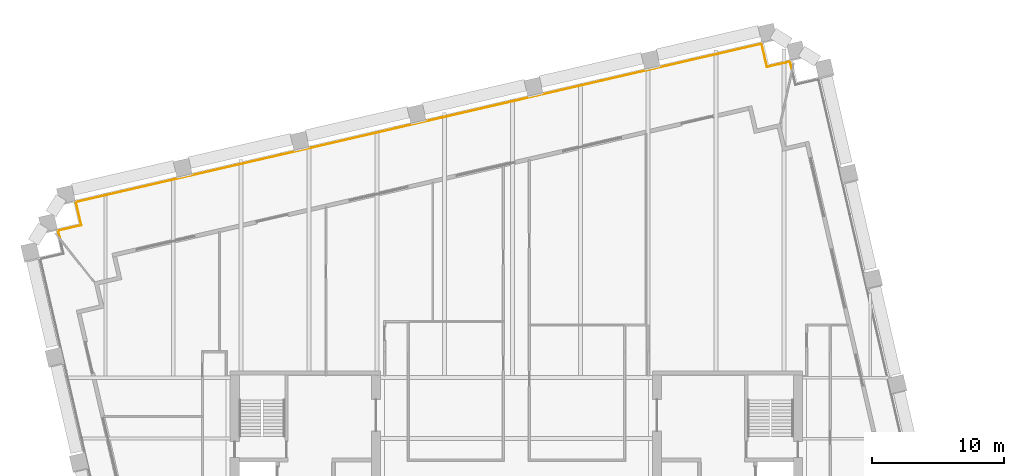
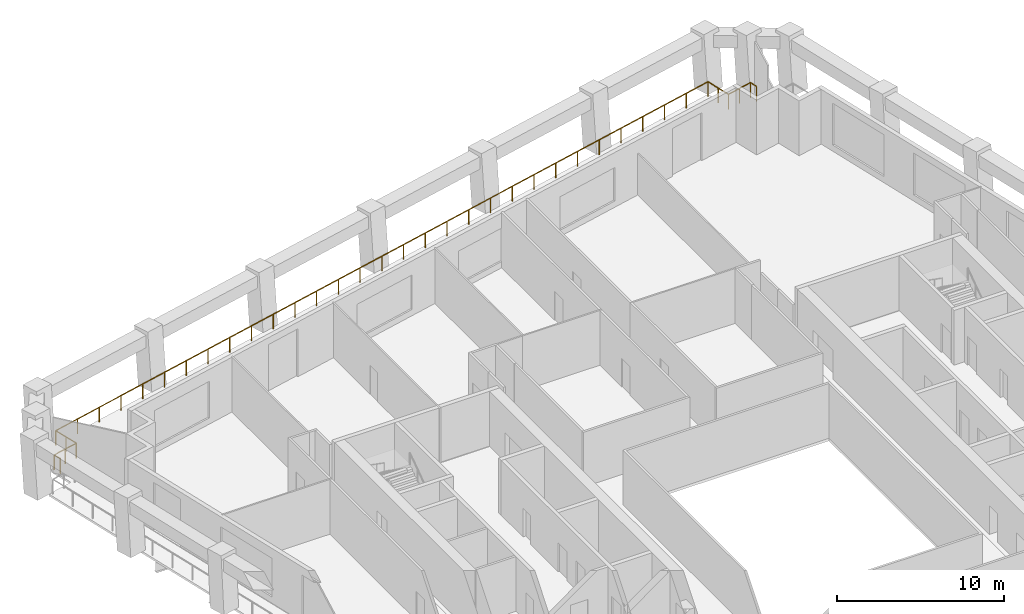
# One storey, part 10 of 10: 1 railing.
"""IFC4 building model written with IfcOpenShell, lengths in metres."""

import ifcopenshell
import ifcopenshell.guid

model = None  # the IFC model being written
_history = None  # IfcOwnerHistory: only IFC2X3 demands one
_inside = {}  # id of a spatial element -> (the spatial element, [elements in it])
_under = {}  # id of a project, library or spatial element -> (it, [spatial elements below it])
_declared = {}  # id of a project -> (the project, [libraries it declares])
_typed = {}  # id of a type object -> (the type object, [elements of that type])
_made_of = {}  # id of a material, layer set ... -> (it, [elements and type objects made of it])


def new_model(schema):
    """Start an empty IFC model of exactly this schema.

    Asked for "IFC4X3", IfcOpenShell would pick the latest addendum, in which some entities
    have other attributes; the version numbers below select the first issue.
    IFC2X3 requires an IfcOwnerHistory on every rooted entity: one is made here for all.
    """
    global model, _history
    if schema == "IFC4X3":
        model = ifcopenshell.file(schema_version=(4, 3, 0, 0))
    else:
        model = ifcopenshell.file(schema=schema)
    _inside.clear()
    _under.clear()
    _declared.clear()
    _typed.clear()
    _made_of.clear()
    _history = None
    if model.schema == "IFC2X3":
        org = make("IfcOrganization", Name="unknown")
        user = make(
            "IfcPersonAndOrganization",
            ThePerson=make("IfcPerson", FamilyName="unknown"),
            TheOrganization=org,
        )
        app = make(
            "IfcApplication",
            ApplicationDeveloper=org,
            Version="unknown",
            ApplicationFullName="unknown",
            ApplicationIdentifier="unknown",
        )
        _history = make(
            "IfcOwnerHistory",
            OwningUser=user,
            OwningApplication=app,
            ChangeAction="ADDED",
            CreationDate=0,
        )
    return model


def make(cls, **values):
    """One entity of the class cls with the attributes given. An attribute that is None is left unset."""
    return model.create_entity(
        cls, **{name: value for name, value in values.items() if value is not None}
    )


def rooted(cls, **values):
    """An entity with a GlobalId (a new one), such as an element, a storey or a relation."""
    return make(cls, GlobalId=ifcopenshell.guid.new(), OwnerHistory=_history, **values)


def si_unit(unit_type, name, prefix=None):
    """IfcSIUnit, for example si_unit("LENGTHUNIT", "METRE", prefix="MILLI")."""
    return make("IfcSIUnit", UnitType=unit_type, Prefix=prefix, Name=name)


def assignment(units):
    """IfcUnitAssignment: the units of a project."""
    return None if units is None else make("IfcUnitAssignment", Units=units)


def point(xyz):
    """IfcCartesianPoint."""
    return None if xyz is None else make("IfcCartesianPoint", Coordinates=xyz)


def direction(xyz):
    """IfcDirection."""
    return None if xyz is None else make("IfcDirection", DirectionRatios=xyz)


def frame(location, z_axis=None, x_axis=None):
    """IfcAxis2Placement3D, a coordinate frame: its origin and axes. An axis left out is left unset."""
    return make(
        "IfcAxis2Placement3D",
        Location=point(location),
        Axis=direction(z_axis),
        RefDirection=direction(x_axis),
    )


def frame_2d(location, x_axis=None):
    """IfcAxis2Placement2D, a coordinate frame in the plane: its origin and x axis."""
    return make(
        "IfcAxis2Placement2D", Location=point(location), RefDirection=direction(x_axis)
    )


def origin():
    """The frame at (0, 0, 0) with its axes left unset."""
    return frame((0.0, 0.0, 0.0))


def origin_2d():
    """The frame at (0, 0) in the plane with its x axis left unset."""
    return frame_2d((0.0, 0.0))


def place(relative_to, where):
    """IfcLocalPlacement: puts the frame where relative to a parent placement (None: the world)."""
    return make(
        "IfcLocalPlacement", PlacementRelTo=relative_to, RelativePlacement=where
    )


def context(
    kind, dimensions, precision=None, world=None, true_north=None, identifier=None
):
    """IfcGeometricRepresentationContext, for example the 3D "Model" context."""
    return make(
        "IfcGeometricRepresentationContext",
        ContextIdentifier=identifier,
        ContextType=kind,
        CoordinateSpaceDimension=dimensions,
        Precision=precision,
        WorldCoordinateSystem=world,
        TrueNorth=true_north,
    )


def subcontext(parent, identifier, kind, view, scale=None):
    """IfcGeometricRepresentationSubContext, for example "Body" below "Model"."""
    return make(
        "IfcGeometricRepresentationSubContext",
        ContextIdentifier=identifier,
        ContextType=kind,
        ParentContext=parent,
        TargetScale=scale,
        TargetView=view,
    )


def project(units=None, contexts=None):
    """IfcProject with its units and contexts."""
    return rooted(
        "IfcProject",
        Name="project",
        RepresentationContexts=contexts,
        UnitsInContext=assignment(units),
    )


def spatial(cls, under=None, at=None, **own):
    """A site, building, storey or space (cls), placed at a placement, below another one or the project."""
    s = rooted(cls, ObjectPlacement=at, **own)
    if under is not None:
        _under.setdefault(under.id(), (under, []))[1].append(s)
    return s


def profile(cls, at=None, kind="AREA", **sizes):
    """A parametric profile (cls). Its sizes go by their IFC names, for example OverallWidth=200.0."""
    return make(cls, ProfileType=kind, Position=at, **sizes)


def circle(**sizes):
    """IfcCircleProfileDef."""
    return profile("IfcCircleProfileDef", **sizes)


def extrude(swept, where, along, depth):
    """IfcExtrudedAreaSolid: the profile swept, set in the frame where, extruded along a direction by depth."""
    return make(
        "IfcExtrudedAreaSolid",
        SweptArea=swept,
        Position=where,
        ExtrudedDirection=direction(along),
        Depth=depth,
    )


def shape(context_of_items, identifier, shape_type, items):
    """IfcShapeRepresentation: the items that make up one representation, for example the "Body"."""
    return make(
        "IfcShapeRepresentation",
        ContextOfItems=context_of_items,
        RepresentationIdentifier=identifier,
        RepresentationType=shape_type,
        Items=items,
    )


def material(Name=None, Category=None):
    """IfcMaterial."""
    return make("IfcMaterial", Name=Name, Category=Category)


def made_of(thing, what):
    """Note that an element or type object is made of a material, layer set ...; save() writes the relation."""
    if what is not None:
        _made_of.setdefault(what.id(), (what, []))[1].append(thing)
    return thing


def type_object(cls, material=None, **own):
    """A type object (cls), such as IfcWallType, which elements share."""
    return made_of(rooted(cls, **own), material)


def element(
    cls,
    number,
    at=None,
    inside=None,
    cuts=None,
    type_object=None,
    material=None,
    context=None,
    identifier="Body",
    shape_type=None,
    held_by="IfcProductDefinitionShape",
    body=None,
    shapes=None,
    **own,
):
    """One element of the class cls, such as IfcWall. Its Tag is "e" and its number.

    at: its placement. inside: the storey or other place that contains it. cuts: it is an
    opening in that element (IfcRelVoidsElement). A single representation is given by context,
    identifier, shape_type and body (its items); several are given by shapes. held_by: the class
    of the entity that holds the representations. save() writes the other relations.
    """
    e = rooted(cls, Tag="e%d" % number, ObjectPlacement=at, **own)
    if body is not None:
        shapes = [shape(context, identifier, shape_type, body)]
    if shapes is not None:
        e.Representation = make(held_by, Representations=shapes)
    if inside is not None:
        _inside.setdefault(inside.id(), (inside, []))[1].append(e)
    if cuts is not None:
        rooted(
            "IfcRelVoidsElement", RelatingBuildingElement=cuts, RelatedOpeningElement=e
        )
    if type_object is not None:
        _typed.setdefault(type_object.id(), (type_object, []))[1].append(e)
    return made_of(e, material)


def aggregate(whole, parts):
    """IfcRelAggregates: a whole, such as a stair, and the parts it consists of."""
    return rooted("IfcRelAggregates", RelatingObject=whole, RelatedObjects=parts)


def save(model, path):
    """Write the relations noted so far, then the file.

    IfcRelAggregates (storeys below a building ...), IfcRelContainedInSpatialStructure (elements
    in a storey), IfcRelDefinesByType, IfcRelAssociatesMaterial and IfcRelDeclares: one each for
    every whole, place, type object, material and project.
    """
    for whole, parts in _under.values():
        aggregate(whole, parts)
    for where, things in _inside.values():
        rooted(
            "IfcRelContainedInSpatialStructure",
            RelatedElements=things,
            RelatingStructure=where,
        )
    for kind, things in _typed.values():
        rooted("IfcRelDefinesByType", RelatedObjects=things, RelatingType=kind)
    for what, things in _made_of.values():
        rooted("IfcRelAssociatesMaterial", RelatedObjects=things, RelatingMaterial=what)
    for by, libraries in _declared.values():
        rooted("IfcRelDeclares", RelatingContext=by, RelatedDefinitions=libraries)
    model.write(path)


model = new_model("IFC4")

# Units and contexts
model_context = context("Model", 3, precision=1e-05, world=origin(), true_north=direction((0.0, 1.0)))
body_context = subcontext(model_context, "Body", "Model", "MODEL_VIEW")
ifc_project = project(units=[si_unit("LENGTHUNIT", "METRE"), si_unit("AREAUNIT", "SQUARE_METRE"), si_unit("VOLUMEUNIT", "CUBIC_METRE"), si_unit("PLANEANGLEUNIT", "RADIAN"), si_unit("MASSUNIT", "GRAM", prefix="KILO")], contexts=[model_context])

# Site, building, storey
site_placement = place(None, origin())
site = spatial("IfcSite", under=ifc_project, at=site_placement, CompositionType="ELEMENT")
building_placement = place(site_placement, origin())
building = spatial("IfcBuilding", under=site, at=building_placement, Name="Ogive Exchange Tower", CompositionType="ELEMENT")
storey_placement = place(building_placement, frame((0.0, 0.0, 196.800048828125)))
storey = spatial("IfcBuildingStorey", under=building, at=storey_placement, Name="L43", CompositionType="ELEMENT", Elevation=196.800048828125)

# Railing
ifc_material = material(Name="Stainless steel 316", Category="steel")
railing_type = type_object("IfcRailingType", Name="Guard 1100 stainless steel and glass", PredefinedType="GUARDRAIL", material=ifc_material)
railing_placement = place(storey_placement, frame((-34.6279296875, 35.885009765625, -0.050048828125)))
element("IfcRailing", 1, at=railing_placement, inside=storey, type_object=railing_type, Name="Loggia guard 3", PredefinedType="GUARDRAIL", context=body_context, shape_type="SweptSolid", body=[
    extrude(circle(Radius=0.02392578125, at=origin_2d()), frame((0.0, 0.0, 1.076171875), z_axis=(-0.225265709133, 0.974297367485, 0.0), x_axis=(-0.974297367485, -0.225265709133, 0.0)), (0.0, 0.0, 1.0), 0.526611328125),
    extrude(circle(Radius=0.02392578125, at=origin_2d()), frame((-0.11865234375, 0.51318359375, 1.076171875), z_axis=(0.974386623598, 0.224879318197, 0.0), x_axis=(-0.224879318197, 0.974386623598, 0.0)), (0.0, 0.0, 1.0), 1.800048828125),
    extrude(circle(Radius=0.02392578125, at=origin_2d()), frame((1.63525390625, 0.91796875, 1.076171875), z_axis=(-0.224879318197, 0.974386623598, 0.0), x_axis=(-0.974386623598, -0.224879318197, 0.0)), (0.0, 0.0, 1.0), 1.800048828125),
    extrude(circle(Radius=0.02392578125, at=origin_2d()), frame((1.23046875, 2.671875, 1.076171875), z_axis=(0.97436998541, 0.224951398156, 0.0), x_axis=(-0.224951398156, 0.97436998541, 0.0)), (0.0, 0.0, 1.0), 53.360107421875),
    extrude(circle(Radius=0.02392578125, at=origin_2d()), frame((53.222900390625, 14.67529296875, 1.076171875), z_axis=(0.224879318197, -0.974386623598, 0.0), x_axis=(0.974386623598, 0.224879318197, 0.0)), (0.0, 0.0, 1.0), 1.800048828125),
    extrude(circle(Radius=0.02392578125, at=origin_2d()), frame((53.627685546875, 12.92138671875, 1.076171875), z_axis=(0.974386623598, 0.224879318197, 0.0), x_axis=(-0.224879318197, 0.974386623598, 0.0)), (0.0, 0.0, 1.0), 1.800048828125),
    extrude(circle(Radius=0.02392578125, at=origin_2d()), frame((55.381591796875, 13.326171875, 1.076171875), z_axis=(0.224927247479, -0.974375560727, 0.0), x_axis=(0.974375560727, 0.224927247479, 0.0)), (0.0, 0.0, 1.0), 0.5263671875),
    extrude(circle(Radius=0.02099609375, at=origin_2d()), origin(), (0.0, 0.0, 1.0), 1.052001953125),
    extrude(circle(Radius=0.02099609375, at=origin_2d()), frame((-0.11865234375, 0.51318359375, 0.0)), (0.0, 0.0, 1.0), 1.052001953125),
    extrude(circle(Radius=0.02099609375, at=origin_2d()), frame((0.75830078125, 0.715576171875, 0.0)), (0.0, 0.0, 1.0), 1.052001953125),
    extrude(circle(Radius=0.02099609375, at=origin_2d()), frame((1.63525390625, 0.91796875, 0.0)), (0.0, 0.0, 1.0), 1.052001953125),
    extrude(circle(Radius=0.02099609375, at=origin_2d()), frame((1.432861328125, 1.794921875, 0.0)), (0.0, 0.0, 1.0), 1.052001953125),
    extrude(circle(Radius=0.02099609375, at=origin_2d()), frame((1.23046875, 2.671875, 0.0)), (0.0, 0.0, 1.0), 1.052001953125),
    extrude(circle(Radius=0.02099609375, at=origin_2d()), frame((2.963623046875, 3.072021484375, 0.0)), (0.0, 0.0, 1.0), 1.052001953125),
    extrude(circle(Radius=0.02099609375, at=origin_2d()), frame((4.696533203125, 3.47216796875, 0.0)), (0.0, 0.0, 1.0), 1.052001953125),
    extrude(circle(Radius=0.02099609375, at=origin_2d()), frame((6.4296875, 3.872314453125, 0.0)), (0.0, 0.0, 1.0), 1.052001953125),
    extrude(circle(Radius=0.02099609375, at=origin_2d()), frame((8.162841796875, 4.272216796875, 0.0)), (0.0, 0.0, 1.0), 1.052001953125),
    extrude(circle(Radius=0.02099609375, at=origin_2d()), frame((9.89599609375, 4.67236328125, 0.0)), (0.0, 0.0, 1.0), 1.052001953125),
    extrude(circle(Radius=0.02099609375, at=origin_2d()), frame((11.62890625, 5.072509765625, 0.0)), (0.0, 0.0, 1.0), 1.052001953125),
    extrude(circle(Radius=0.02099609375, at=origin_2d()), frame((13.362060546875, 5.47265625, 0.0)), (0.0, 0.0, 1.0), 1.052001953125),
    extrude(circle(Radius=0.02099609375, at=origin_2d()), frame((15.09521484375, 5.872802734375, 0.0)), (0.0, 0.0, 1.0), 1.052001953125),
    extrude(circle(Radius=0.02099609375, at=origin_2d()), frame((16.828125, 6.27294921875, 0.0)), (0.0, 0.0, 1.0), 1.052001953125),
    extrude(circle(Radius=0.02099609375, at=origin_2d()), frame((18.561279296875, 6.673095703125, 0.0)), (0.0, 0.0, 1.0), 1.052001953125),
    extrude(circle(Radius=0.02099609375, at=origin_2d()), frame((20.29443359375, 7.0732421875, 0.0)), (0.0, 0.0, 1.0), 1.052001953125),
    extrude(circle(Radius=0.02099609375, at=origin_2d()), frame((22.02734375, 7.47314453125, 0.0)), (0.0, 0.0, 1.0), 1.052001953125),
    extrude(circle(Radius=0.02099609375, at=origin_2d()), frame((23.760498046875, 7.873291015625, 0.0)), (0.0, 0.0, 1.0), 1.052001953125),
    extrude(circle(Radius=0.02099609375, at=origin_2d()), frame((25.49365234375, 8.2734375, 0.0)), (0.0, 0.0, 1.0), 1.052001953125),
    extrude(circle(Radius=0.02099609375, at=origin_2d()), frame((27.2265625, 8.673583984375, 0.0)), (0.0, 0.0, 1.0), 1.052001953125),
    extrude(circle(Radius=0.02099609375, at=origin_2d()), frame((28.959716796875, 9.07373046875, 0.0)), (0.0, 0.0, 1.0), 1.052001953125),
    extrude(circle(Radius=0.02099609375, at=origin_2d()), frame((30.69287109375, 9.473876953125, 0.0)), (0.0, 0.0, 1.0), 1.052001953125),
    extrude(circle(Radius=0.02099609375, at=origin_2d()), frame((32.426025390625, 9.8740234375, 0.0)), (0.0, 0.0, 1.0), 1.052001953125),
    extrude(circle(Radius=0.02099609375, at=origin_2d()), frame((34.158935546875, 10.27392578125, 0.0)), (0.0, 0.0, 1.0), 1.052001953125),
    extrude(circle(Radius=0.02099609375, at=origin_2d()), frame((35.89208984375, 10.674072265625, 0.0)), (0.0, 0.0, 1.0), 1.052001953125),
    extrude(circle(Radius=0.02099609375, at=origin_2d()), frame((37.625244140625, 11.07421875, 0.0)), (0.0, 0.0, 1.0), 1.052001953125),
    extrude(circle(Radius=0.02099609375, at=origin_2d()), frame((39.358154296875, 11.474365234375, 0.0)), (0.0, 0.0, 1.0), 1.052001953125),
    extrude(circle(Radius=0.02099609375, at=origin_2d()), frame((41.09130859375, 11.87451171875, 0.0)), (0.0, 0.0, 1.0), 1.052001953125),
    extrude(circle(Radius=0.02099609375, at=origin_2d()), frame((42.824462890625, 12.274658203125, 0.0)), (0.0, 0.0, 1.0), 1.052001953125),
    extrude(circle(Radius=0.02099609375, at=origin_2d()), frame((44.5576171875, 12.6748046875, 0.0)), (0.0, 0.0, 1.0), 1.052001953125),
    extrude(circle(Radius=0.02099609375, at=origin_2d()), frame((46.29052734375, 13.074951171875, 0.0)), (0.0, 0.0, 1.0), 1.052001953125),
    extrude(circle(Radius=0.02099609375, at=origin_2d()), frame((48.023681640625, 13.474853515625, 0.0)), (0.0, 0.0, 1.0), 1.052001953125),
    extrude(circle(Radius=0.02099609375, at=origin_2d()), frame((49.7568359375, 13.875, 0.0)), (0.0, 0.0, 1.0), 1.052001953125),
    extrude(circle(Radius=0.02099609375, at=origin_2d()), frame((51.48974609375, 14.275146484375, 0.0)), (0.0, 0.0, 1.0), 1.052001953125),
    extrude(circle(Radius=0.02099609375, at=origin_2d()), frame((53.222900390625, 14.67529296875, 0.0)), (0.0, 0.0, 1.0), 1.052001953125),
    extrude(circle(Radius=0.02099609375, at=origin_2d()), frame((53.42529296875, 13.79833984375, 0.0)), (0.0, 0.0, 1.0), 1.052001953125),
    extrude(circle(Radius=0.02099609375, at=origin_2d()), frame((53.627685546875, 12.92138671875, 0.0)), (0.0, 0.0, 1.0), 1.052001953125),
    extrude(circle(Radius=0.02099609375, at=origin_2d()), frame((54.504638671875, 13.123779296875, 0.0)), (0.0, 0.0, 1.0), 1.052001953125),
    extrude(circle(Radius=0.02099609375, at=origin_2d()), frame((55.381591796875, 13.326171875, 0.0)), (0.0, 0.0, 1.0), 1.052001953125),
    extrude(circle(Radius=0.02099609375, at=origin_2d()), frame((55.5, 12.813232421875, 0.0)), (0.0, 0.0, 1.0), 1.052001953125),
])

save(model, "model.ifc")
